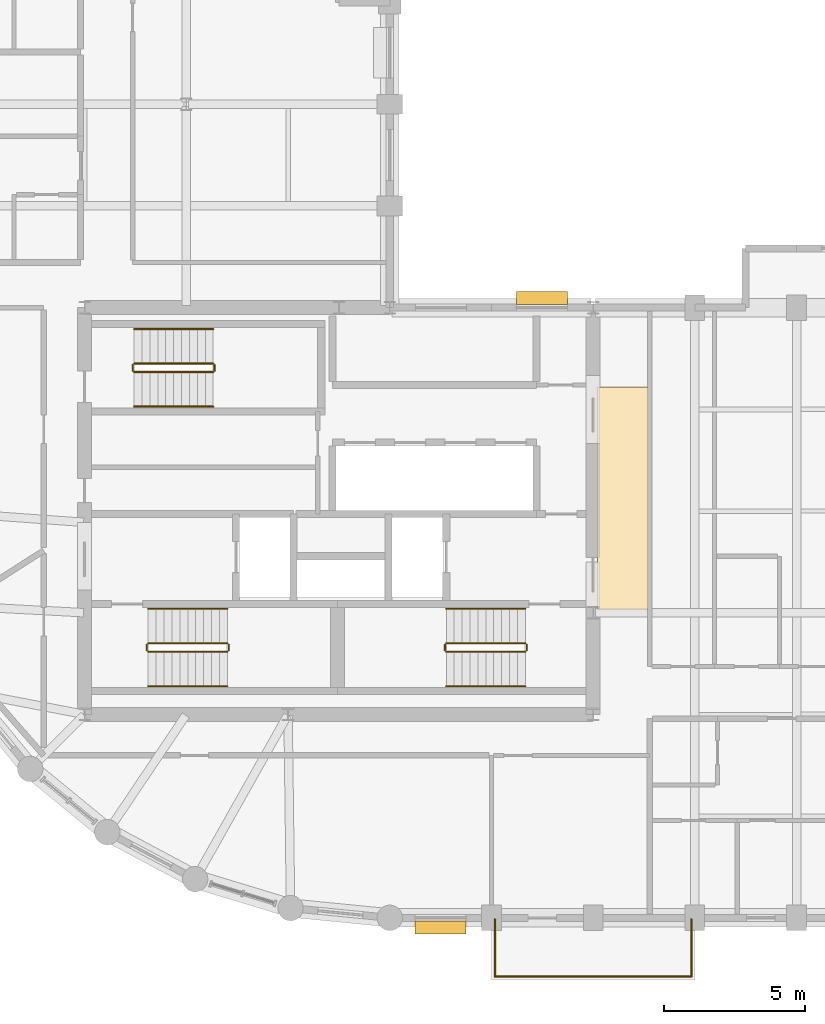
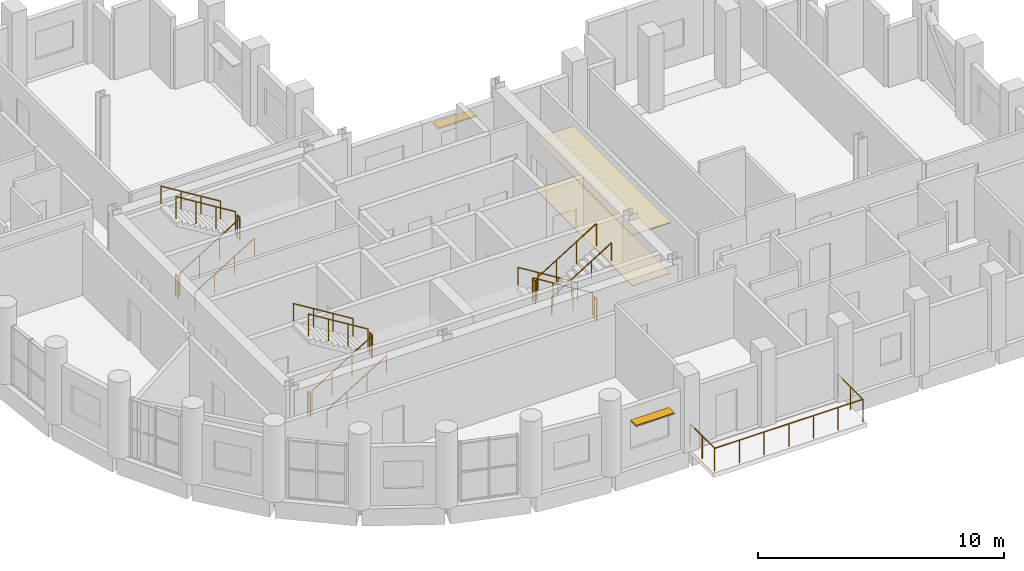
# One storey, part 11 of 12: 21 railings, 2 coverings, 2 shading devices.
"""IFC4 building model written with IfcOpenShell, lengths in metres."""

from ifc_helpers import new_model, si_unit, direction, frame, origin, origin_2d, place, context, subcontext, project, spatial, polyline, rectangle, circle, outline, extrude, material, layer, layer_set, type_object, element, save


model = new_model("IFC4")

# Units and contexts
model_context = context("Model", 3, precision=1e-05, world=origin(), true_north=direction((0.0, 1.0)))
body_context = subcontext(model_context, "Body", "Model", "MODEL_VIEW")
ifc_project = project(units=[si_unit("LENGTHUNIT", "METRE"), si_unit("AREAUNIT", "SQUARE_METRE"), si_unit("VOLUMEUNIT", "CUBIC_METRE"), si_unit("PLANEANGLEUNIT", "RADIAN"), si_unit("MASSUNIT", "GRAM", prefix="KILO")], contexts=[model_context])

# Site, building, storey
site_placement = place(None, origin())
site = spatial("IfcSite", under=ifc_project, at=site_placement, CompositionType="ELEMENT")
building_placement = place(site_placement, origin())
building = spatial("IfcBuilding", under=site, at=building_placement, Name="Solnavia Interchange Tower", CompositionType="ELEMENT")
storey_placement = place(building_placement, frame((0.0, 0.0, 182.39990234375)))
storey = spatial("IfcBuildingStorey", under=building, at=storey_placement, Name="L45", CompositionType="ELEMENT", Elevation=182.39990234375)

# Coverings
ifc_material_1 = material(Name="Perforated Mineral-Fibre & Gypsum Ceiling", Category="gypsum")
ifc_layer_1 = layer(ifc_material_1, 0.0400390625)
ifc_layer_set_1 = layer_set([ifc_layer_1], Name="Perforated Mineral-Fibre & Gypsum Ceiling")
covering_type_1 = type_object("IfcCoveringType", Name="Covering-Ceiling-Acoustic40", PredefinedType="CEILING", material=ifc_layer_set_1)
covering_1_placement = place(storey_placement, frame((0.0, 0.0, 2.5)))
element("IfcCovering", 1, at=covering_1_placement, inside=storey, type_object=covering_type_1, Name="CLG-L45-01 Circulation suspended acoustic ceiling", PredefinedType="CEILING", context=body_context, shape_type="SweptSolid", body=[
    extrude(outline(polyline([(32.550048828125, 14.5), (34.35009765625, 14.5), (34.35009765625, 22.39990234375), (32.550048828125, 22.39990234375), (32.550048828125, 14.5)])), origin(), (0.0, 0.0, 1.0), 0.0400390625),
])
ifc_material_2 = material(Name="Engineered European Oak Flooring", Category="wood")
ifc_layer_2 = layer(ifc_material_2, 0.02001953125)
ifc_layer_set_2 = layer_set([ifc_layer_2], Name="Engineered European Oak Flooring")
covering_type_2 = type_object("IfcCoveringType", Name="Covering-Flooring-Timber20", PredefinedType="FLOORING", material=ifc_layer_set_2)
covering_2_placement = place(storey_placement, origin())
element("IfcCovering", 2, at=covering_2_placement, inside=storey, type_object=covering_type_2, Name="FLR-L45-01 Circulation floor finish", PredefinedType="FLOORING", context=body_context, shape_type="SweptSolid", body=[
    extrude(outline(polyline([(32.550048828125, 14.5), (34.35009765625, 14.5), (34.35009765625, 22.39990234375), (32.550048828125, 22.39990234375), (32.550048828125, 14.5)])), origin(), (0.0, 0.0, 1.0), 0.02001953125),
])

# Railings
ifc_material_3 = material(Name="Painted Steel Balustrade", Category="steel")
railing_type_1 = type_object("IfcRailingType", Name="Railing-StairGuard-1100", PredefinedType="GUARDRAIL", material=ifc_material_3)
railing_1_placement = place(storey_placement, frame((16.64990234375, 13.02001953125, 0.1728515625)))
element("IfcRailing", 3, at=railing_1_placement, inside=storey, type_object=railing_type_1, Name="L45 ST-1 stair guard 1", PredefinedType="GUARDRAIL", context=body_context, shape_type="SweptSolid", body=[
    extrude(circle(Radius=0.02392578125, at=origin_2d()), frame((0.0, 0.0, 1.09619140625), z_axis=(0.851089632645, 0.0, 0.525020415988), x_axis=(0.0, 1.0, 0.0)), (0.0, 0.0, 1.0), 3.2900390625),
    extrude(circle(Radius=0.02099609375, at=origin_2d()), origin(), (0.0, 0.0, 1.0), 1.072021484375),
    extrude(circle(Radius=0.02099609375, at=origin_2d()), frame((0.933349609375, 0.0, 0.57568359375)), (0.0, 0.0, 1.0), 1.072021484375),
    extrude(circle(Radius=0.02099609375, at=origin_2d()), frame((1.86669921875, 0.0, 1.151611328125)), (0.0, 0.0, 1.0), 1.072021484375),
    extrude(circle(Radius=0.02099609375, at=origin_2d()), frame((2.800048828125, 0.0, 1.727294921875)), (0.0, 0.0, 1.0), 1.072021484375),
])
railing_2_placement = place(storey_placement, frame((19.5, 13.070068359375, 1.900146484375)))
element("IfcRailing", 4, at=railing_2_placement, inside=storey, type_object=railing_type_1, Name="L45 ST-1 stair guard 2", PredefinedType="GUARDRAIL", context=body_context, shape_type="SweptSolid", body=[
    extrude(circle(Radius=0.02392578125, at=origin_2d()), frame((0.0, 0.0, 1.09619140625), z_axis=(0.0, 1.0, 0.0), x_axis=(-1.0, 0.0, 0.0)), (0.0, 0.0, 1.0), 0.199951171875),
    extrude(circle(Radius=0.02099609375, at=origin_2d()), origin(), (0.0, 0.0, 1.0), 1.072021484375),
    extrude(circle(Radius=0.02099609375, at=origin_2d()), frame((0.0, 0.199951171875, 0.0)), (0.0, 0.0, 1.0), 1.072021484375),
])
railing_3_placement = place(storey_placement, frame((19.449951171875, 13.320068359375, 2.07275390625)))
element("IfcRailing", 5, at=railing_3_placement, inside=storey, type_object=railing_type_1, Name="L45 ST-1 stair guard 3", PredefinedType="GUARDRAIL", context=body_context, shape_type="SweptSolid", body=[
    extrude(circle(Radius=0.02392578125, at=origin_2d()), frame((0.0, 0.0, 1.09619140625), z_axis=(-0.851089632645, 0.0, 0.525020415988), x_axis=(0.0, -1.0, 0.0)), (0.0, 0.0, 1.0), 3.2900390625),
    extrude(circle(Radius=0.02099609375, at=origin_2d()), origin(), (0.0, 0.0, 1.0), 1.072021484375),
    extrude(circle(Radius=0.02099609375, at=origin_2d()), frame((-0.933349609375, 0.0, 0.57568359375)), (0.0, 0.0, 1.0), 1.072021484375),
    extrude(circle(Radius=0.02099609375, at=origin_2d()), frame((-1.86669921875, 0.0, 1.151611328125)), (0.0, 0.0, 1.0), 1.072021484375),
    extrude(circle(Radius=0.02099609375, at=origin_2d()), frame((-2.800048828125, 0.0, 1.727294921875)), (0.0, 0.0, 1.0), 1.072021484375),
])
railing_4_placement = place(storey_placement, frame((16.60009765625, 13.070068359375, 0.0)))
element("IfcRailing", 6, at=railing_4_placement, inside=storey, type_object=railing_type_1, Name="L45 ST-1 stair guard 4", PredefinedType="GUARDRAIL", context=body_context, shape_type="SweptSolid", body=[
    extrude(circle(Radius=0.02392578125, at=origin_2d()), frame((0.0, 0.0, 1.09619140625), z_axis=(0.0, 1.0, 0.0), x_axis=(-1.0, 0.0, 0.0)), (0.0, 0.0, 1.0), 0.199951171875),
    extrude(circle(Radius=0.02099609375, at=origin_2d()), origin(), (0.0, 0.0, 1.0), 1.072021484375),
    extrude(circle(Radius=0.02099609375, at=origin_2d()), frame((0.0, 0.199951171875, 0.0)), (0.0, 0.0, 1.0), 1.072021484375),
])
railing_5_placement = place(storey_placement, frame((30.0, 13.320068359375, 0.1728515625)))
element("IfcRailing", 7, at=railing_5_placement, inside=storey, type_object=railing_type_1, Name="L45 ST-2 stair guard 1", PredefinedType="GUARDRAIL", context=body_context, shape_type="SweptSolid", body=[
    extrude(circle(Radius=0.02392578125, at=origin_2d()), frame((0.0, 0.0, 1.09619140625), z_axis=(-0.851089632645, 0.0, 0.525020415988), x_axis=(0.0, -1.0, 0.0)), (0.0, 0.0, 1.0), 3.2900390625),
    extrude(circle(Radius=0.02099609375, at=origin_2d()), origin(), (0.0, 0.0, 1.0), 1.072021484375),
    extrude(circle(Radius=0.02099609375, at=origin_2d()), frame((-0.933349609375, 0.0, 0.57568359375)), (0.0, 0.0, 1.0), 1.072021484375),
    extrude(circle(Radius=0.02099609375, at=origin_2d()), frame((-1.86669921875, 0.0, 1.151611328125)), (0.0, 0.0, 1.0), 1.072021484375),
    extrude(circle(Radius=0.02099609375, at=origin_2d()), frame((-2.800048828125, 0.0, 1.727294921875)), (0.0, 0.0, 1.0), 1.072021484375),
])
railing_6_placement = place(storey_placement, frame((27.14990234375, 13.27001953125, 1.900146484375)))
element("IfcRailing", 8, at=railing_6_placement, inside=storey, type_object=railing_type_1, Name="L45 ST-2 stair guard 2", PredefinedType="GUARDRAIL", context=body_context, shape_type="SweptSolid", body=[
    extrude(circle(Radius=0.02392578125, at=origin_2d()), frame((0.0, 0.0, 1.09619140625), z_axis=(0.0, -1.0, 0.0), x_axis=(1.0, 0.0, 0.0)), (0.0, 0.0, 1.0), 0.199951171875),
    extrude(circle(Radius=0.02099609375, at=origin_2d()), origin(), (0.0, 0.0, 1.0), 1.072021484375),
    extrude(circle(Radius=0.02099609375, at=origin_2d()), frame((0.0, -0.199951171875, 0.0)), (0.0, 0.0, 1.0), 1.072021484375),
])
railing_7_placement = place(storey_placement, frame((27.199951171875, 13.02001953125, 2.07275390625)))
element("IfcRailing", 9, at=railing_7_placement, inside=storey, type_object=railing_type_1, Name="L45 ST-2 stair guard 3", PredefinedType="GUARDRAIL", context=body_context, shape_type="SweptSolid", body=[
    extrude(circle(Radius=0.02392578125, at=origin_2d()), frame((0.0, 0.0, 1.09619140625), z_axis=(0.851089632645, 0.0, 0.525020415988), x_axis=(0.0, 1.0, 0.0)), (0.0, 0.0, 1.0), 3.2900390625),
    extrude(circle(Radius=0.02099609375, at=origin_2d()), origin(), (0.0, 0.0, 1.0), 1.072021484375),
    extrude(circle(Radius=0.02099609375, at=origin_2d()), frame((0.933349609375, 0.0, 0.57568359375)), (0.0, 0.0, 1.0), 1.072021484375),
    extrude(circle(Radius=0.02099609375, at=origin_2d()), frame((1.86669921875, 0.0, 1.151611328125)), (0.0, 0.0, 1.0), 1.072021484375),
    extrude(circle(Radius=0.02099609375, at=origin_2d()), frame((2.800048828125, 0.0, 1.727294921875)), (0.0, 0.0, 1.0), 1.072021484375),
])
railing_8_placement = place(storey_placement, frame((30.050048828125, 13.27001953125, 0.0)))
element("IfcRailing", 10, at=railing_8_placement, inside=storey, type_object=railing_type_1, Name="L45 ST-2 stair guard 4", PredefinedType="GUARDRAIL", context=body_context, shape_type="SweptSolid", body=[
    extrude(circle(Radius=0.02392578125, at=origin_2d()), frame((0.0, 0.0, 1.09619140625), z_axis=(0.0, -1.0, 0.0), x_axis=(1.0, 0.0, 0.0)), (0.0, 0.0, 1.0), 0.199951171875),
    extrude(circle(Radius=0.02099609375, at=origin_2d()), origin(), (0.0, 0.0, 1.0), 1.072021484375),
    extrude(circle(Radius=0.02099609375, at=origin_2d()), frame((0.0, -0.199951171875, 0.0)), (0.0, 0.0, 1.0), 1.072021484375),
])
railing_9_placement = place(storey_placement, frame((16.14990234375, 22.919921875, 0.1728515625)))
element("IfcRailing", 11, at=railing_9_placement, inside=storey, type_object=railing_type_1, Name="L45 ST-3 stair guard 1", PredefinedType="GUARDRAIL", context=body_context, shape_type="SweptSolid", body=[
    extrude(circle(Radius=0.02392578125, at=origin_2d()), frame((0.0, 0.0, 1.09619140625), z_axis=(0.851089632645, 0.0, 0.525020415988), x_axis=(0.0, 1.0, 0.0)), (0.0, 0.0, 1.0), 3.2900390625),
    extrude(circle(Radius=0.02099609375, at=origin_2d()), origin(), (0.0, 0.0, 1.0), 1.072021484375),
    extrude(circle(Radius=0.02099609375, at=origin_2d()), frame((0.933349609375, 0.0, 0.57568359375)), (0.0, 0.0, 1.0), 1.072021484375),
    extrude(circle(Radius=0.02099609375, at=origin_2d()), frame((1.86669921875, 0.0, 1.151611328125)), (0.0, 0.0, 1.0), 1.072021484375),
    extrude(circle(Radius=0.02099609375, at=origin_2d()), frame((2.800048828125, 0.0, 1.727294921875)), (0.0, 0.0, 1.0), 1.072021484375),
])
railing_10_placement = place(storey_placement, frame((19.0, 22.969970703125, 1.900146484375)))
element("IfcRailing", 12, at=railing_10_placement, inside=storey, type_object=railing_type_1, Name="L45 ST-3 stair guard 2", PredefinedType="GUARDRAIL", context=body_context, shape_type="SweptSolid", body=[
    extrude(circle(Radius=0.02392578125, at=origin_2d()), frame((0.0, 0.0, 1.09619140625), z_axis=(0.0, 1.0, 0.0), x_axis=(-1.0, 0.0, 0.0)), (0.0, 0.0, 1.0), 0.199951171875),
    extrude(circle(Radius=0.02099609375, at=origin_2d()), origin(), (0.0, 0.0, 1.0), 1.072021484375),
    extrude(circle(Radius=0.02099609375, at=origin_2d()), frame((0.0, 0.199951171875, 0.0)), (0.0, 0.0, 1.0), 1.072021484375),
])
railing_11_placement = place(storey_placement, frame((18.949951171875, 23.219970703125, 2.07275390625)))
element("IfcRailing", 13, at=railing_11_placement, inside=storey, type_object=railing_type_1, Name="L45 ST-3 stair guard 3", PredefinedType="GUARDRAIL", context=body_context, shape_type="SweptSolid", body=[
    extrude(circle(Radius=0.02392578125, at=origin_2d()), frame((0.0, 0.0, 1.09619140625), z_axis=(-0.851089632645, 0.0, 0.525020415988), x_axis=(0.0, -1.0, 0.0)), (0.0, 0.0, 1.0), 3.2900390625),
    extrude(circle(Radius=0.02099609375, at=origin_2d()), origin(), (0.0, 0.0, 1.0), 1.072021484375),
    extrude(circle(Radius=0.02099609375, at=origin_2d()), frame((-0.933349609375, 0.0, 0.57568359375)), (0.0, 0.0, 1.0), 1.072021484375),
    extrude(circle(Radius=0.02099609375, at=origin_2d()), frame((-1.86669921875, 0.0, 1.151611328125)), (0.0, 0.0, 1.0), 1.072021484375),
    extrude(circle(Radius=0.02099609375, at=origin_2d()), frame((-2.800048828125, 0.0, 1.727294921875)), (0.0, 0.0, 1.0), 1.072021484375),
])
railing_12_placement = place(storey_placement, frame((16.10009765625, 22.969970703125, 0.0)))
element("IfcRailing", 14, at=railing_12_placement, inside=storey, type_object=railing_type_1, Name="L45 ST-3 stair guard 4", PredefinedType="GUARDRAIL", context=body_context, shape_type="SweptSolid", body=[
    extrude(circle(Radius=0.02392578125, at=origin_2d()), frame((0.0, 0.0, 1.09619140625), z_axis=(0.0, 1.0, 0.0), x_axis=(-1.0, 0.0, 0.0)), (0.0, 0.0, 1.0), 0.199951171875),
    extrude(circle(Radius=0.02099609375, at=origin_2d()), origin(), (0.0, 0.0, 1.0), 1.072021484375),
    extrude(circle(Radius=0.02099609375, at=origin_2d()), frame((0.0, 0.199951171875, 0.0)), (0.0, 0.0, 1.0), 1.072021484375),
])
ifc_material_4 = material(Name="Brushed Stainless Steel", Category="steel")
railing_type_2 = type_object("IfcRailingType", Name="Railing-StairHandrail-900", PredefinedType="HANDRAIL", material=ifc_material_4)
railing_13_placement = place(storey_placement, frame((16.64990234375, 11.800048828125, 0.1728515625)))
element("IfcRailing", 15, at=railing_13_placement, inside=storey, type_object=railing_type_2, Name="L45 ST-1 stair handrail 1", PredefinedType="HANDRAIL", context=body_context, shape_type="SweptSolid", body=[
    extrude(circle(Radius=0.02392578125, at=origin_2d()), frame((0.0, 0.0, 0.8759765625), z_axis=(0.851089632645, 0.0, 0.525020415988), x_axis=(0.0, 1.0, 0.0)), (0.0, 0.0, 1.0), 3.2900390625),
    extrude(circle(Radius=0.02099609375, at=origin_2d()), origin(), (0.0, 0.0, 1.0), 0.851806640625),
    extrude(circle(Radius=0.02099609375, at=origin_2d()), frame((0.933349609375, 0.0, 0.57568359375)), (0.0, 0.0, 1.0), 0.851806640625),
    extrude(circle(Radius=0.02099609375, at=origin_2d()), frame((1.86669921875, 0.0, 1.151611328125)), (0.0, 0.0, 1.0), 0.851806640625),
    extrude(circle(Radius=0.02099609375, at=origin_2d()), frame((2.800048828125, 0.0, 1.727294921875)), (0.0, 0.0, 1.0), 0.851806640625),
])
for number, where, name in (
    (16, (19.449951171875, 14.5400390625, 2.07275390625), "L45 ST-1 stair handrail 2"),
    (17, (30.0, 14.5400390625, 0.1728515625), "L45 ST-2 stair handrail 1"),
):
    element("IfcRailing", number, at=place(storey_placement, frame(where)), inside=storey, type_object=railing_type_2, Name=name, PredefinedType="HANDRAIL", context=body_context, shape_type="SweptSolid", body=[
        extrude(circle(Radius=0.02392578125, at=origin_2d()), frame((0.0, 0.0, 0.8759765625), z_axis=(-0.851089632645, 0.0, 0.525020415988), x_axis=(0.0, -1.0, 0.0)), (0.0, 0.0, 1.0), 3.2900390625),
        extrude(circle(Radius=0.02099609375, at=origin_2d()), origin(), (0.0, 0.0, 1.0), 0.851806640625),
        extrude(circle(Radius=0.02099609375, at=origin_2d()), frame((-0.933349609375, 0.0, 0.57568359375)), (0.0, 0.0, 1.0), 0.851806640625),
        extrude(circle(Radius=0.02099609375, at=origin_2d()), frame((-1.86669921875, 0.0, 1.151611328125)), (0.0, 0.0, 1.0), 0.851806640625),
        extrude(circle(Radius=0.02099609375, at=origin_2d()), frame((-2.800048828125, 0.0, 1.727294921875)), (0.0, 0.0, 1.0), 0.851806640625),
    ])
for number, where, name in (
    (18, (27.199951171875, 11.800048828125, 2.07275390625), "L45 ST-2 stair handrail 2"),
    (19, (16.14990234375, 21.699951171875, 0.1728515625), "L45 ST-3 stair handrail 1"),
):
    element("IfcRailing", number, at=place(storey_placement, frame(where)), inside=storey, type_object=railing_type_2, Name=name, PredefinedType="HANDRAIL", context=body_context, shape_type="SweptSolid", body=[
        extrude(circle(Radius=0.02392578125, at=origin_2d()), frame((0.0, 0.0, 0.8759765625), z_axis=(0.851089632645, 0.0, 0.525020415988), x_axis=(0.0, 1.0, 0.0)), (0.0, 0.0, 1.0), 3.2900390625),
        extrude(circle(Radius=0.02099609375, at=origin_2d()), origin(), (0.0, 0.0, 1.0), 0.851806640625),
        extrude(circle(Radius=0.02099609375, at=origin_2d()), frame((0.933349609375, 0.0, 0.57568359375)), (0.0, 0.0, 1.0), 0.851806640625),
        extrude(circle(Radius=0.02099609375, at=origin_2d()), frame((1.86669921875, 0.0, 1.151611328125)), (0.0, 0.0, 1.0), 0.851806640625),
        extrude(circle(Radius=0.02099609375, at=origin_2d()), frame((2.800048828125, 0.0, 1.727294921875)), (0.0, 0.0, 1.0), 0.851806640625),
    ])
railing_14_placement = place(storey_placement, frame((18.949951171875, 24.43994140625, 2.07275390625)))
element("IfcRailing", 20, at=railing_14_placement, inside=storey, type_object=railing_type_2, Name="L45 ST-3 stair handrail 2", PredefinedType="HANDRAIL", context=body_context, shape_type="SweptSolid", body=[
    extrude(circle(Radius=0.02392578125, at=origin_2d()), frame((0.0, 0.0, 0.8759765625), z_axis=(-0.851089632645, 0.0, 0.525020415988), x_axis=(0.0, -1.0, 0.0)), (0.0, 0.0, 1.0), 3.2900390625),
    extrude(circle(Radius=0.02099609375, at=origin_2d()), origin(), (0.0, 0.0, 1.0), 0.851806640625),
    extrude(circle(Radius=0.02099609375, at=origin_2d()), frame((-0.933349609375, 0.0, 0.57568359375)), (0.0, 0.0, 1.0), 0.851806640625),
    extrude(circle(Radius=0.02099609375, at=origin_2d()), frame((-1.86669921875, 0.0, 1.151611328125)), (0.0, 0.0, 1.0), 0.851806640625),
    extrude(circle(Radius=0.02099609375, at=origin_2d()), frame((-2.800048828125, 0.0, 1.727294921875)), (0.0, 0.0, 1.0), 0.851806640625),
])
ifc_material_5 = material(Name="Laminated Safety Glass & Stainless Steel", Category="steel")
railing_type_3 = type_object("IfcRailingType", Name="Railing-TerraceGuard-1150", PredefinedType="GUARDRAIL", material=ifc_material_5)
railing_15_placement = place(storey_placement, frame((28.919921875, 3.550048828125, -0.039794921875)))
element("IfcRailing", 21, at=railing_15_placement, inside=storey, type_object=railing_type_3, Name="GRD-L45-TER-01 Perimeter terrace guardrail", PredefinedType="GUARDRAIL", context=body_context, shape_type="SweptSolid", body=[
    extrude(circle(Radius=0.02392578125, at=origin_2d()), frame((0.0, 0.0, 1.1259765625), z_axis=(0.0, -1.0, 0.0), x_axis=(1.0, 0.0, 0.0)), (0.0, 0.0, 1.0), 2.030029296875),
    extrude(circle(Radius=0.02099609375, at=origin_2d()), origin(), (0.0, 0.0, 1.0), 1.101806640625),
    extrude(circle(Radius=0.02099609375, at=origin_2d()), frame((0.0, -1.01513671875, 0.0)), (0.0, 0.0, 1.0), 1.101806640625),
    extrude(circle(Radius=0.02099609375, at=origin_2d()), frame((0.0, -2.030029296875, 0.0)), (0.0, 0.0, 1.0), 1.101806640625),
])
railing_16_placement = place(storey_placement, frame((28.919921875, 1.52001953125, -0.039794921875)))
element("IfcRailing", 22, at=railing_16_placement, inside=storey, type_object=railing_type_3, Name="GRD-L45-TER-02 Perimeter terrace guardrail", PredefinedType="GUARDRAIL", context=body_context, shape_type="SweptSolid", body=[
    extrude(circle(Radius=0.02392578125, at=origin_2d()), frame((0.0, 0.0, 1.1259765625), z_axis=(1.0, 0.0, 0.0), x_axis=(0.0, 1.0, 0.0)), (0.0, 0.0, 1.0), 6.9599609375),
    extrude(circle(Radius=0.02099609375, at=origin_2d()), origin(), (0.0, 0.0, 1.0), 1.101806640625),
    extrude(circle(Radius=0.02099609375, at=origin_2d()), frame((1.159912109375, 0.0, 0.0)), (0.0, 0.0, 1.0), 1.101806640625),
    extrude(circle(Radius=0.02099609375, at=origin_2d()), frame((2.320068359375, 0.0, 0.0)), (0.0, 0.0, 1.0), 1.101806640625),
    extrude(circle(Radius=0.02099609375, at=origin_2d()), frame((3.47998046875, 0.0, 0.0)), (0.0, 0.0, 1.0), 1.101806640625),
    extrude(circle(Radius=0.02099609375, at=origin_2d()), frame((4.639892578125, 0.0, 0.0)), (0.0, 0.0, 1.0), 1.101806640625),
    extrude(circle(Radius=0.02099609375, at=origin_2d()), frame((5.800048828125, 0.0, 0.0)), (0.0, 0.0, 1.0), 1.101806640625),
    extrude(circle(Radius=0.02099609375, at=origin_2d()), frame((6.9599609375, 0.0, 0.0)), (0.0, 0.0, 1.0), 1.101806640625),
])
railing_17_placement = place(storey_placement, frame((35.8798828125, 1.52001953125, -0.039794921875)))
element("IfcRailing", 23, at=railing_17_placement, inside=storey, type_object=railing_type_3, Name="GRD-L45-TER-03 Perimeter terrace guardrail", PredefinedType="GUARDRAIL", context=body_context, shape_type="SweptSolid", body=[
    extrude(circle(Radius=0.02392578125, at=origin_2d()), frame((0.0, 0.0, 1.1259765625), z_axis=(0.0, 1.0, 0.0), x_axis=(-1.0, 0.0, 0.0)), (0.0, 0.0, 1.0), 2.030029296875),
    extrude(circle(Radius=0.02099609375, at=origin_2d()), origin(), (0.0, 0.0, 1.0), 1.101806640625),
    extrude(circle(Radius=0.02099609375, at=origin_2d()), frame((0.0, 1.01513671875, 0.0)), (0.0, 0.0, 1.0), 1.101806640625),
    extrude(circle(Radius=0.02099609375, at=origin_2d()), frame((0.0, 2.030029296875, 0.0)), (0.0, 0.0, 1.0), 1.101806640625),
])

# Shading devices
ifc_material_6 = material(Name="Anodised Aluminium Sunshade", Category="aluminium")
ifc_layer_3 = layer(ifc_material_6, 0.070068359375)
ifc_layer_set_3 = layer_set([ifc_layer_3], Name="Anodised Aluminium Sunshade")
shading_device_type = type_object("IfcShadingDeviceType", Name="Sunshade-Band-450", PredefinedType="JALOUSIE", material=ifc_layer_set_3)
for number, where, z_axis, x_axis, name in (
    (24, (27.0, 3.2548828125, 2.22509765625), (0.0, 0.0, 1.0), (-1.0, 0.0, 0.0), "SHD-L45-01 Horizontal sunshade band"),
    (25, (30.583984375, 25.544921875, 2.22509765625), (0.0, 0.0, 1.0), (1.0, 0.0, 0.0), "SHD-L45-27 Horizontal sunshade band"),
):
    element("IfcShadingDevice", number, at=place(storey_placement, frame(where, z_axis=z_axis, x_axis=x_axis)), inside=storey, type_object=shading_device_type, Name=name, PredefinedType="JALOUSIE", context=body_context, shape_type="SweptSolid", body=[
        extrude(rectangle(XDim=1.800048828125, YDim=0.449951171875, at=origin_2d()), origin(), (0.0, 0.0, 1.0), 0.070068359375),
    ])

save(model, "model.ifc")
